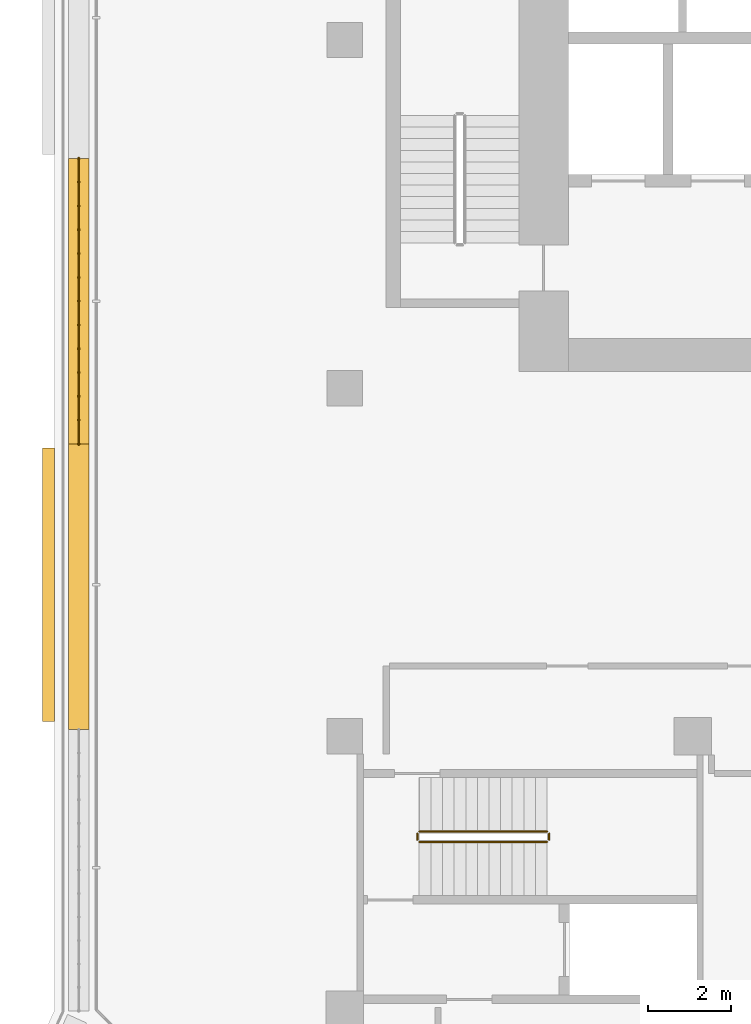
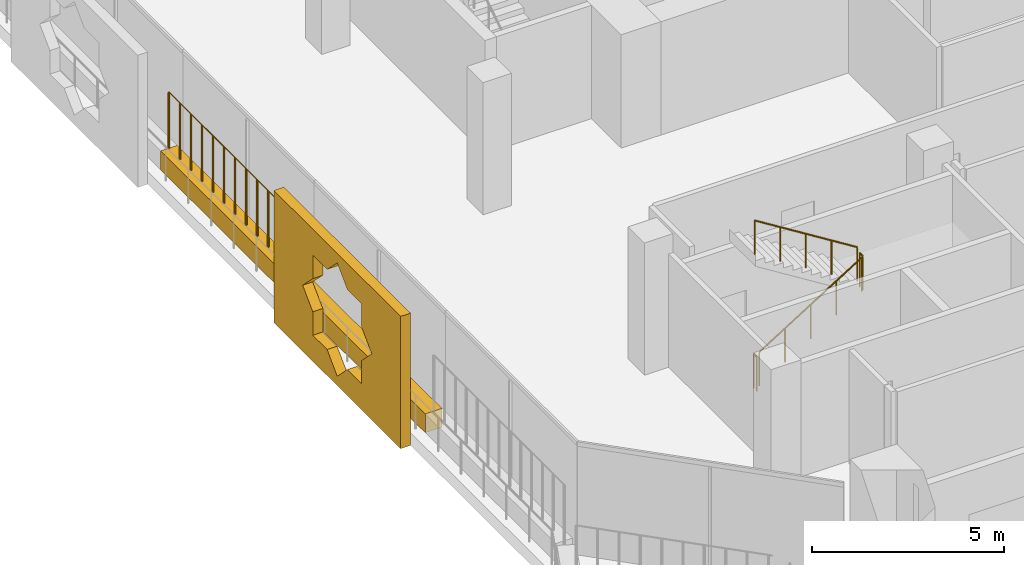
# One storey, part 18 of 24: 5 railings, 3 coverings.
"""IFC4 building model written with IfcOpenShell, lengths in metres."""

import ifcopenshell
import ifcopenshell.guid

model = None  # the IFC model being written
_history = None  # IfcOwnerHistory: only IFC2X3 demands one
_inside = {}  # id of a spatial element -> (the spatial element, [elements in it])
_under = {}  # id of a project, library or spatial element -> (it, [spatial elements below it])
_declared = {}  # id of a project -> (the project, [libraries it declares])
_typed = {}  # id of a type object -> (the type object, [elements of that type])
_made_of = {}  # id of a material, layer set ... -> (it, [elements and type objects made of it])


def new_model(schema):
    """Start an empty IFC model of exactly this schema.

    Asked for "IFC4X3", IfcOpenShell would pick the latest addendum, in which some entities
    have other attributes; the version numbers below select the first issue.
    IFC2X3 requires an IfcOwnerHistory on every rooted entity: one is made here for all.
    """
    global model, _history
    if schema == "IFC4X3":
        model = ifcopenshell.file(schema_version=(4, 3, 0, 0))
    else:
        model = ifcopenshell.file(schema=schema)
    _inside.clear()
    _under.clear()
    _declared.clear()
    _typed.clear()
    _made_of.clear()
    _history = None
    if model.schema == "IFC2X3":
        org = make("IfcOrganization", Name="unknown")
        user = make(
            "IfcPersonAndOrganization",
            ThePerson=make("IfcPerson", FamilyName="unknown"),
            TheOrganization=org,
        )
        app = make(
            "IfcApplication",
            ApplicationDeveloper=org,
            Version="unknown",
            ApplicationFullName="unknown",
            ApplicationIdentifier="unknown",
        )
        _history = make(
            "IfcOwnerHistory",
            OwningUser=user,
            OwningApplication=app,
            ChangeAction="ADDED",
            CreationDate=0,
        )
    return model


def make(cls, **values):
    """One entity of the class cls with the attributes given. An attribute that is None is left unset."""
    return model.create_entity(
        cls, **{name: value for name, value in values.items() if value is not None}
    )


def rooted(cls, **values):
    """An entity with a GlobalId (a new one), such as an element, a storey or a relation."""
    return make(cls, GlobalId=ifcopenshell.guid.new(), OwnerHistory=_history, **values)


def si_unit(unit_type, name, prefix=None):
    """IfcSIUnit, for example si_unit("LENGTHUNIT", "METRE", prefix="MILLI")."""
    return make("IfcSIUnit", UnitType=unit_type, Prefix=prefix, Name=name)


def assignment(units):
    """IfcUnitAssignment: the units of a project."""
    return None if units is None else make("IfcUnitAssignment", Units=units)


def point(xyz):
    """IfcCartesianPoint."""
    return None if xyz is None else make("IfcCartesianPoint", Coordinates=xyz)


def direction(xyz):
    """IfcDirection."""
    return None if xyz is None else make("IfcDirection", DirectionRatios=xyz)


def frame(location, z_axis=None, x_axis=None):
    """IfcAxis2Placement3D, a coordinate frame: its origin and axes. An axis left out is left unset."""
    return make(
        "IfcAxis2Placement3D",
        Location=point(location),
        Axis=direction(z_axis),
        RefDirection=direction(x_axis),
    )


def frame_2d(location, x_axis=None):
    """IfcAxis2Placement2D, a coordinate frame in the plane: its origin and x axis."""
    return make(
        "IfcAxis2Placement2D", Location=point(location), RefDirection=direction(x_axis)
    )


def origin():
    """The frame at (0, 0, 0) with its axes left unset."""
    return frame((0.0, 0.0, 0.0))


def origin_2d():
    """The frame at (0, 0) in the plane with its x axis left unset."""
    return frame_2d((0.0, 0.0))


def place(relative_to, where):
    """IfcLocalPlacement: puts the frame where relative to a parent placement (None: the world)."""
    return make(
        "IfcLocalPlacement", PlacementRelTo=relative_to, RelativePlacement=where
    )


def context(
    kind, dimensions, precision=None, world=None, true_north=None, identifier=None
):
    """IfcGeometricRepresentationContext, for example the 3D "Model" context."""
    return make(
        "IfcGeometricRepresentationContext",
        ContextIdentifier=identifier,
        ContextType=kind,
        CoordinateSpaceDimension=dimensions,
        Precision=precision,
        WorldCoordinateSystem=world,
        TrueNorth=true_north,
    )


def subcontext(parent, identifier, kind, view, scale=None):
    """IfcGeometricRepresentationSubContext, for example "Body" below "Model"."""
    return make(
        "IfcGeometricRepresentationSubContext",
        ContextIdentifier=identifier,
        ContextType=kind,
        ParentContext=parent,
        TargetScale=scale,
        TargetView=view,
    )


def project(units=None, contexts=None):
    """IfcProject with its units and contexts."""
    return rooted(
        "IfcProject",
        Name="project",
        RepresentationContexts=contexts,
        UnitsInContext=assignment(units),
    )


def spatial(cls, under=None, at=None, **own):
    """A site, building, storey or space (cls), placed at a placement, below another one or the project."""
    s = rooted(cls, ObjectPlacement=at, **own)
    if under is not None:
        _under.setdefault(under.id(), (under, []))[1].append(s)
    return s


def polyline(points):
    """IfcPolyline through the points."""
    return make("IfcPolyline", Points=[point(p) for p in points])


def profile(cls, at=None, kind="AREA", **sizes):
    """A parametric profile (cls). Its sizes go by their IFC names, for example OverallWidth=200.0."""
    return make(cls, ProfileType=kind, Position=at, **sizes)


def rectangle(**sizes):
    """IfcRectangleProfileDef."""
    return profile("IfcRectangleProfileDef", **sizes)


def circle(**sizes):
    """IfcCircleProfileDef."""
    return profile("IfcCircleProfileDef", **sizes)


def outline(outer, holes=None, kind="AREA"):
    """IfcArbitraryClosedProfileDef: a profile drawn as a closed curve; with holes, ...WithVoids."""
    if holes is None:
        return make("IfcArbitraryClosedProfileDef", ProfileType=kind, OuterCurve=outer)
    return make(
        "IfcArbitraryProfileDefWithVoids",
        ProfileType=kind,
        OuterCurve=outer,
        InnerCurves=holes,
    )


def extrude(swept, where, along, depth):
    """IfcExtrudedAreaSolid: the profile swept, set in the frame where, extruded along a direction by depth."""
    return make(
        "IfcExtrudedAreaSolid",
        SweptArea=swept,
        Position=where,
        ExtrudedDirection=direction(along),
        Depth=depth,
    )


def shape(context_of_items, identifier, shape_type, items):
    """IfcShapeRepresentation: the items that make up one representation, for example the "Body"."""
    return make(
        "IfcShapeRepresentation",
        ContextOfItems=context_of_items,
        RepresentationIdentifier=identifier,
        RepresentationType=shape_type,
        Items=items,
    )


def material(Name=None, Category=None):
    """IfcMaterial."""
    return make("IfcMaterial", Name=Name, Category=Category)


def material_profile(
    of_material, cross_section, Name=None, Category=None, Priority=None
):
    """IfcMaterialProfile: a cross section and its material."""
    return make(
        "IfcMaterialProfile",
        Name=Name,
        Material=of_material,
        Profile=cross_section,
        Priority=Priority,
        Category=Category,
    )


def profile_set(profiles, Name=None, composite=None):
    """IfcMaterialProfileSet."""
    return make(
        "IfcMaterialProfileSet",
        Name=Name,
        MaterialProfiles=profiles,
        CompositeProfile=composite,
    )


def made_of(thing, what):
    """Note that an element or type object is made of a material, layer set ...; save() writes the relation."""
    if what is not None:
        _made_of.setdefault(what.id(), (what, []))[1].append(thing)
    return thing


def type_object(cls, material=None, **own):
    """A type object (cls), such as IfcWallType, which elements share."""
    return made_of(rooted(cls, **own), material)


def element(
    cls,
    number,
    at=None,
    inside=None,
    cuts=None,
    type_object=None,
    material=None,
    context=None,
    identifier="Body",
    shape_type=None,
    held_by="IfcProductDefinitionShape",
    body=None,
    shapes=None,
    **own,
):
    """One element of the class cls, such as IfcWall. Its Tag is "e" and its number.

    at: its placement. inside: the storey or other place that contains it. cuts: it is an
    opening in that element (IfcRelVoidsElement). A single representation is given by context,
    identifier, shape_type and body (its items); several are given by shapes. held_by: the class
    of the entity that holds the representations. save() writes the other relations.
    """
    e = rooted(cls, Tag="e%d" % number, ObjectPlacement=at, **own)
    if body is not None:
        shapes = [shape(context, identifier, shape_type, body)]
    if shapes is not None:
        e.Representation = make(held_by, Representations=shapes)
    if inside is not None:
        _inside.setdefault(inside.id(), (inside, []))[1].append(e)
    if cuts is not None:
        rooted(
            "IfcRelVoidsElement", RelatingBuildingElement=cuts, RelatedOpeningElement=e
        )
    if type_object is not None:
        _typed.setdefault(type_object.id(), (type_object, []))[1].append(e)
    return made_of(e, material)


def aggregate(whole, parts):
    """IfcRelAggregates: a whole, such as a stair, and the parts it consists of."""
    return rooted("IfcRelAggregates", RelatingObject=whole, RelatedObjects=parts)


def save(model, path):
    """Write the relations noted so far, then the file.

    IfcRelAggregates (storeys below a building ...), IfcRelContainedInSpatialStructure (elements
    in a storey), IfcRelDefinesByType, IfcRelAssociatesMaterial and IfcRelDeclares: one each for
    every whole, place, type object, material and project.
    """
    for whole, parts in _under.values():
        aggregate(whole, parts)
    for where, things in _inside.values():
        rooted(
            "IfcRelContainedInSpatialStructure",
            RelatedElements=things,
            RelatingStructure=where,
        )
    for kind, things in _typed.values():
        rooted("IfcRelDefinesByType", RelatedObjects=things, RelatingType=kind)
    for what, things in _made_of.values():
        rooted("IfcRelAssociatesMaterial", RelatedObjects=things, RelatingMaterial=what)
    for by, libraries in _declared.values():
        rooted("IfcRelDeclares", RelatingContext=by, RelatedDefinitions=libraries)
    model.write(path)


model = new_model("IFC4")

# Units and contexts
model_context = context("Model", 3, precision=1e-05, world=origin(), true_north=direction((0.0, 1.0)))
body_context = subcontext(model_context, "Body", "Model", "MODEL_VIEW")
ifc_project = project(units=[si_unit("LENGTHUNIT", "METRE"), si_unit("AREAUNIT", "SQUARE_METRE"), si_unit("VOLUMEUNIT", "CUBIC_METRE"), si_unit("PLANEANGLEUNIT", "RADIAN"), si_unit("MASSUNIT", "GRAM", prefix="KILO")], contexts=[model_context])

# Site, building, storey
site_placement = place(None, origin())
site = spatial("IfcSite", under=ifc_project, at=site_placement, CompositionType="ELEMENT")
building_placement = place(site_placement, origin())
building = spatial("IfcBuilding", under=site, at=building_placement, Name="Kawkab Arch Medical Tower", CompositionType="ELEMENT")
storey_placement = place(building_placement, frame((0.0, 0.0, 218.0)))
storey = spatial("IfcBuildingStorey", under=building, at=storey_placement, Name="L50", CompositionType="ELEMENT", Elevation=218.0)

# Coverings
ifc_material_1 = material(Name="Bronze anodised aluminium mashrabiya panel, eight-point star pattern", Category="aluminium")
ifc_material_profile_1 = material_profile(ifc_material_1, outline(polyline([(-3.300048828125, -2.10009765625), (3.300048828125, -2.10009765625), (3.300048828125, 2.10009765625), (-3.300048828125, 2.10009765625), (-3.300048828125, -2.10009765625)]), holes=[polyline([(1.800048828125, 0.0), (1.272705078125, 0.527099609375), (1.272705078125, 1.272705078125), (0.527099609375, 1.272705078125), (0.0, 1.800048828125), (-0.527099609375, 1.272705078125), (-1.272705078125, 1.272705078125), (-1.272705078125, 0.527099609375), (-1.800048828125, 0.0), (-1.272705078125, -0.527099609375), (-1.272705078125, -1.272705078125), (-0.527099609375, -1.272705078125), (0.0, -1.800048828125), (0.527099609375, -1.272705078125), (1.272705078125, -1.272705078125), (1.272705078125, -0.527099609375), (1.800048828125, 0.0)])]), Name="Mashrabiya panel 6600x4200")
ifc_profile_set_1 = profile_set([ifc_material_profile_1], Name="Bronze anodised aluminium mashrabiya panel, eight-point star pattern")
covering_type_1 = type_object("IfcCoveringType", Name="Mashrabiya panel 6600 x 4200", PredefinedType="USERDEFINED", material=ifc_profile_set_1)
covering_1_placement = place(storey_placement, frame((-7.0, -29.94091796875, 1.699951171875), z_axis=(-1.0, 0.0, 0.0), x_axis=(0.0, -1.0, 0.0)))
element("IfcCovering", 1, at=covering_1_placement, inside=storey, type_object=covering_type_1, Name="Mashrabiya panel L50.LOG-01-01.1", ObjectType="SCREEN", PredefinedType="USERDEFINED", context=body_context, shape_type="SweptSolid", body=[
    extrude(outline(polyline([(-3.300048828125, -2.10009765625), (3.300048828125, -2.10009765625), (3.300048828125, 2.10009765625), (-3.300048828125, 2.10009765625), (-3.300048828125, -2.10009765625)]), holes=[polyline([(1.800048828125, 0.0), (1.272705078125, 0.527099609375), (1.272705078125, 1.272705078125), (0.527099609375, 1.272705078125), (0.0, 1.800048828125), (-0.527099609375, 1.272705078125), (-1.272705078125, 1.272705078125), (-1.272705078125, 0.527099609375), (-1.800048828125, 0.0), (-1.272705078125, -0.527099609375), (-1.272705078125, -1.272705078125), (-0.527099609375, -1.272705078125), (0.0, -1.800048828125), (0.527099609375, -1.272705078125), (1.272705078125, -1.272705078125), (1.272705078125, -0.527099609375), (1.800048828125, 0.0)])]), origin(), (0.0, 0.0, 1.0), 0.300048828125),
])
ifc_material_2 = material(Name="Planting soil in a precast trough", Category="concrete")
ifc_material_profile_2 = material_profile(ifc_material_2, rectangle(XDim=0.5, YDim=0.60009765625, at=origin_2d()), Name="Trough 500x600")
ifc_profile_set_2 = profile_set([ifc_material_profile_2], Name="Planting soil in a precast trough")
covering_type_2 = type_object("IfcCoveringType", Name="Planter trough 500 x 600", PredefinedType="USERDEFINED", material=ifc_profile_set_2)
covering_2_placement = place(storey_placement, frame((-6.419921875, -33.43603515625, 0.300048828125), z_axis=(0.0, 1.0, 0.0), x_axis=(-1.0, 0.0, 0.0)))
element("IfcCovering", 2, at=covering_2_placement, inside=storey, type_object=covering_type_2, Name="Planter L50.LOG-01-01.4", ObjectType="PLANTER", PredefinedType="USERDEFINED", context=body_context, shape_type="SweptSolid", body=[
    extrude(rectangle(XDim=0.5, YDim=0.60009765625, at=origin_2d()), origin(), (0.0, 0.0, 1.0), 6.89111328125),
])
covering_3_placement = place(storey_placement, frame((-6.419921875, -26.544921875, 0.300048828125), z_axis=(0.0, 1.0, 0.0), x_axis=(-1.0, 0.0, 0.0)))
element("IfcCovering", 3, at=covering_3_placement, inside=storey, type_object=covering_type_2, Name="Planter L50.LOG-01-01.5", ObjectType="PLANTER", PredefinedType="USERDEFINED", context=body_context, shape_type="SweptSolid", body=[
    extrude(rectangle(XDim=0.5, YDim=0.60009765625, at=origin_2d()), origin(), (0.0, 0.0, 1.0), 6.889892578125),
])

# Railings
ifc_material_3 = material(Name="Bronze anodised aluminium trellis for climbing plants", Category="aluminium")
railing_type_1 = type_object("IfcRailingType", Name="Planting trellis 2400", PredefinedType="USERDEFINED", material=ifc_material_3)
railing_1_placement = place(storey_placement, frame((-6.419921875, -26.544921875, 0.0)))
element("IfcRailing", 4, at=railing_1_placement, inside=storey, type_object=railing_type_1, Name="Planting trellis L50.LOG-01-01.5", ObjectType="TRELLIS", PredefinedType="USERDEFINED", context=body_context, shape_type="SweptSolid", body=[
    extrude(circle(Radius=0.01513671875, at=origin_2d()), frame((0.0, 0.0, 2.384765625), z_axis=(0.0, 1.0, 0.0), x_axis=(-1.0, 0.0, 0.0)), (0.0, 0.0, 1.0), 6.889892578125),
    extrude(circle(Radius=0.030029296875, at=origin_2d()), origin(), (0.0, 0.0, 1.0), 2.369873046875),
    extrude(circle(Radius=0.030029296875, at=origin_2d()), frame((0.0, 0.57421875, 0.0)), (0.0, 0.0, 1.0), 2.369873046875),
    extrude(circle(Radius=0.030029296875, at=origin_2d()), frame((0.0, 1.1484375, 0.0)), (0.0, 0.0, 1.0), 2.369873046875),
    extrude(circle(Radius=0.030029296875, at=origin_2d()), frame((0.0, 1.722412109375, 0.0)), (0.0, 0.0, 1.0), 2.369873046875),
    extrude(circle(Radius=0.030029296875, at=origin_2d()), frame((0.0, 2.296630859375, 0.0)), (0.0, 0.0, 1.0), 2.369873046875),
    extrude(circle(Radius=0.030029296875, at=origin_2d()), frame((0.0, 2.870849609375, 0.0)), (0.0, 0.0, 1.0), 2.369873046875),
    extrude(circle(Radius=0.030029296875, at=origin_2d()), frame((0.0, 3.44482421875, 0.0)), (0.0, 0.0, 1.0), 2.369873046875),
    extrude(circle(Radius=0.030029296875, at=origin_2d()), frame((0.0, 4.01904296875, 0.0)), (0.0, 0.0, 1.0), 2.369873046875),
    extrude(circle(Radius=0.030029296875, at=origin_2d()), frame((0.0, 4.59326171875, 0.0)), (0.0, 0.0, 1.0), 2.369873046875),
    extrude(circle(Radius=0.030029296875, at=origin_2d()), frame((0.0, 5.16748046875, 0.0)), (0.0, 0.0, 1.0), 2.369873046875),
    extrude(circle(Radius=0.030029296875, at=origin_2d()), frame((0.0, 5.74169921875, 0.0)), (0.0, 0.0, 1.0), 2.369873046875),
    extrude(circle(Radius=0.030029296875, at=origin_2d()), frame((0.0, 6.315673828125, 0.0)), (0.0, 0.0, 1.0), 2.369873046875),
    extrude(circle(Radius=0.030029296875, at=origin_2d()), frame((0.0, 6.889892578125, 0.0)), (0.0, 0.0, 1.0), 2.369873046875),
])
ifc_material_4 = material(Name="Stainless steel", Category="steel")
railing_type_2 = type_object("IfcRailingType", Name="Stair guard 1100", PredefinedType="GUARDRAIL", material=ifc_material_4)
railing_2_placement = place(storey_placement, frame((1.800048828125, -36.14990234375, 0.175048828125)))
element("IfcRailing", 5, at=railing_2_placement, inside=storey, type_object=railing_type_2, Name="L50 ST6 stair guard 1", PredefinedType="GUARDRAIL", context=body_context, shape_type="SweptSolid", body=[
    extrude(circle(Radius=0.02392578125, at=origin_2d()), frame((0.0, 0.0, 1.076171875), z_axis=(0.847979421464, 0.0, 0.530029150871), x_axis=(0.0, 1.0, 0.0)), (0.0, 0.0, 1.0), 3.632080078125),
    extrude(circle(Radius=0.02099609375, at=origin_2d()), origin(), (0.0, 0.0, 1.0), 1.052001953125),
    extrude(circle(Radius=0.02099609375, at=origin_2d()), frame((0.77001953125, 0.0, 0.481201171875)), (0.0, 0.0, 1.0), 1.052001953125),
    extrude(circle(Radius=0.02099609375, at=origin_2d()), frame((1.5400390625, 0.0, 0.96240234375)), (0.0, 0.0, 1.0), 1.052001953125),
    extrude(circle(Radius=0.02099609375, at=origin_2d()), frame((2.309814453125, 0.0, 1.44384765625)), (0.0, 0.0, 1.0), 1.052001953125),
    extrude(circle(Radius=0.02099609375, at=origin_2d()), frame((3.079833984375, 0.0, 1.925048828125)), (0.0, 0.0, 1.0), 1.052001953125),
])
railing_3_placement = place(storey_placement, frame((4.929931640625, -36.10009765625, 2.10009765625)))
element("IfcRailing", 6, at=railing_3_placement, inside=storey, type_object=railing_type_2, Name="L50 ST6 stair guard 2", PredefinedType="GUARDRAIL", context=body_context, shape_type="SweptSolid", body=[
    extrude(circle(Radius=0.02392578125, at=origin_2d()), frame((0.0, 0.0, 1.076171875), z_axis=(0.0, 1.0, 0.0), x_axis=(-1.0, 0.0, 0.0)), (0.0, 0.0, 1.0), 0.150146484375),
    extrude(circle(Radius=0.02099609375, at=origin_2d()), origin(), (0.0, 0.0, 1.0), 1.052001953125),
    extrude(circle(Radius=0.02099609375, at=origin_2d()), frame((0.0, 0.150146484375, 0.0)), (0.0, 0.0, 1.0), 1.052001953125),
])
railing_4_placement = place(storey_placement, frame((4.8798828125, -35.89990234375, 2.27490234375)))
element("IfcRailing", 7, at=railing_4_placement, inside=storey, type_object=railing_type_2, Name="L50 ST6 stair guard 3", PredefinedType="GUARDRAIL", context=body_context, shape_type="SweptSolid", body=[
    extrude(circle(Radius=0.02392578125, at=origin_2d()), frame((0.0, 0.0, 1.076171875), z_axis=(-0.847979421464, 0.0, 0.530029150871), x_axis=(0.0, -1.0, 0.0)), (0.0, 0.0, 1.0), 3.632080078125),
    extrude(circle(Radius=0.02099609375, at=origin_2d()), origin(), (0.0, 0.0, 1.0), 1.052001953125),
    extrude(circle(Radius=0.02099609375, at=origin_2d()), frame((-0.77001953125, 0.0, 0.481201171875)), (0.0, 0.0, 1.0), 1.052001953125),
    extrude(circle(Radius=0.02099609375, at=origin_2d()), frame((-1.5400390625, 0.0, 0.96240234375)), (0.0, 0.0, 1.0), 1.052001953125),
    extrude(circle(Radius=0.02099609375, at=origin_2d()), frame((-2.309814453125, 0.0, 1.44384765625)), (0.0, 0.0, 1.0), 1.052001953125),
    extrude(circle(Radius=0.02099609375, at=origin_2d()), frame((-3.079833984375, 0.0, 1.925048828125)), (0.0, 0.0, 1.0), 1.052001953125),
])
railing_5_placement = place(storey_placement, frame((1.75, -36.10009765625, 0.0)))
element("IfcRailing", 8, at=railing_5_placement, inside=storey, type_object=railing_type_2, Name="L50 ST6 stair guard 4", PredefinedType="GUARDRAIL", context=body_context, shape_type="SweptSolid", body=[
    extrude(circle(Radius=0.02392578125, at=origin_2d()), frame((0.0, 0.0, 1.076171875), z_axis=(0.0, 1.0, 0.0), x_axis=(-1.0, 0.0, 0.0)), (0.0, 0.0, 1.0), 0.150146484375),
    extrude(circle(Radius=0.02099609375, at=origin_2d()), origin(), (0.0, 0.0, 1.0), 1.052001953125),
    extrude(circle(Radius=0.02099609375, at=origin_2d()), frame((0.0, 0.150146484375, 0.0)), (0.0, 0.0, 1.0), 1.052001953125),
])

save(model, "model.ifc")
